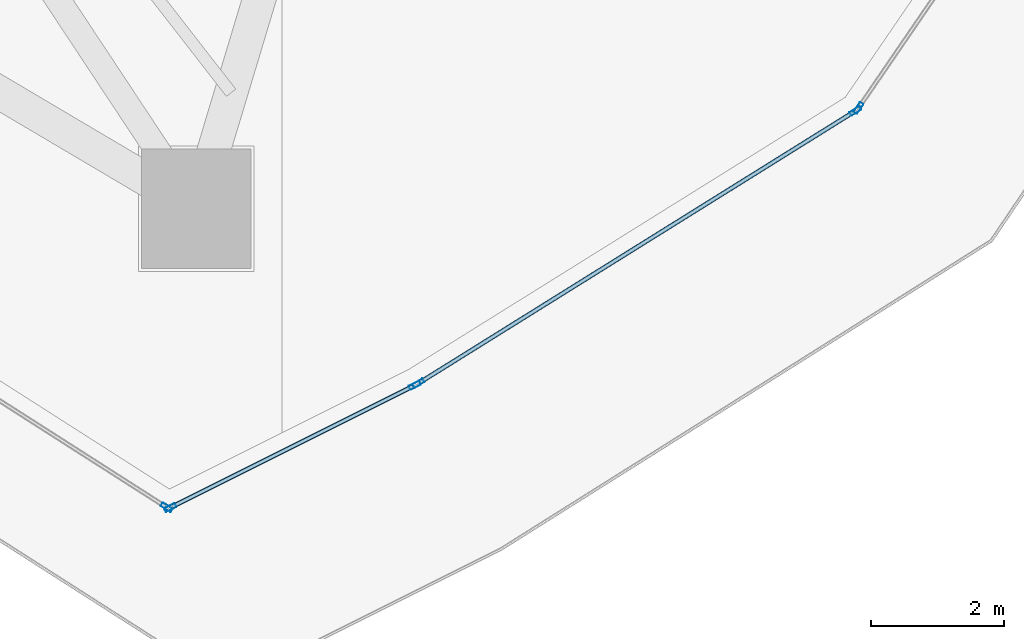
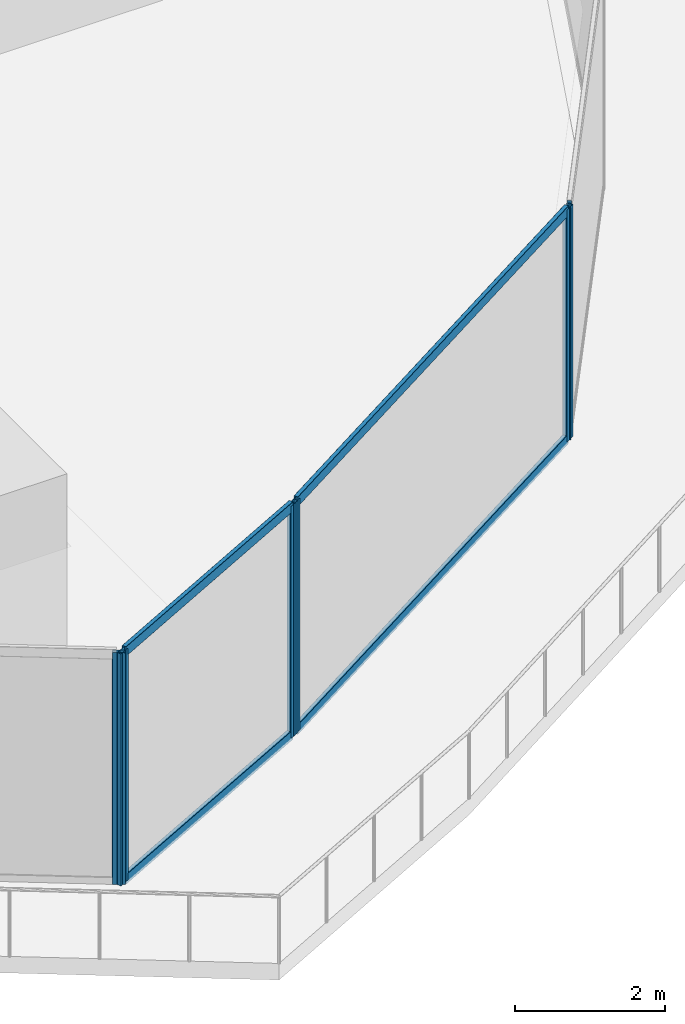
# One storey, part 10 of 33: 10 members, 4 elements without a shape of their own.
"""IFC4 building model written with IfcOpenShell, lengths in metres."""

from ifc_helpers import new_model, si_unit, direction, frame, origin, origin_2d, place, context, subcontext, project, spatial, hollow_rectangle, extrude, material, layer, layer_set, material_profile, profile_set, type_object, element, aggregate, save


model = new_model("IFC4")

# Units and contexts
model_context = context("Model", 3, precision=1e-05, world=origin(), true_north=direction((0.0, 1.0)))
body_context = subcontext(model_context, "Body", "Model", "MODEL_VIEW")
ifc_project = project(units=[si_unit("LENGTHUNIT", "METRE"), si_unit("AREAUNIT", "SQUARE_METRE"), si_unit("VOLUMEUNIT", "CUBIC_METRE"), si_unit("PLANEANGLEUNIT", "RADIAN"), si_unit("MASSUNIT", "GRAM", prefix="KILO")], contexts=[model_context])

# Site, building, storey
site_placement = place(None, origin())
site = spatial("IfcSite", under=ifc_project, at=site_placement, CompositionType="ELEMENT")
building_placement = place(site_placement, origin())
building = spatial("IfcBuilding", under=site, at=building_placement, Name="Qorvath Tower", CompositionType="ELEMENT")
storey_placement = place(building_placement, frame((0.0, 0.0, 221.25)))
storey = spatial("IfcBuildingStorey", under=building, at=storey_placement, Name="L51", CompositionType="ELEMENT", Elevation=221.25)

# Curtain wall, member
ifc_material_1 = material(Name="Anodised aluminium and triple low-E glass", Category="aluminium")
ifc_layer = layer(ifc_material_1, 0.179931640625)
ifc_layer_set = layer_set([ifc_layer], Name="CW-SYS-3")
curtain_wall_type = type_object("IfcCurtainWallType", Name="CW-SYS-3", PredefinedType="NOTDEFINED", material=ifc_layer_set)
curtain_wall_1_placement = place(storey_placement, origin())
curtain_wall_1 = element("IfcCurtainWall", 1, at=curtain_wall_1_placement, inside=storey, type_object=curtain_wall_type, Name="Curtain Wall CW-3 CW-T-L51-2.2", PredefinedType="NOTDEFINED")
ifc_material_2 = material(Name="Anodised aluminium 6063-T6", Category="aluminium")
ifc_material_profile_1 = material_profile(ifc_material_2, hollow_rectangle(XDim=0.06494140625, YDim=0.179931640625, WallThickness=0.00341796875, InnerFilletRadius=0.00341796875, OuterFilletRadius=0.007080078125, at=origin_2d()), Name="CWM 180x65")
ifc_profile_set_1 = profile_set([ifc_material_profile_1], Name="Anodised aluminium 6063-T6")
member_type_1 = type_object("IfcMemberType", Name="CWM-180", PredefinedType="MULLION", material=ifc_profile_set_1)
member_1_placement = place(storey_placement, frame((-17.31591796875, -26.116943359375, 0.0), z_axis=(0.0, 0.0, 1.0), x_axis=(0.538534785809, 0.842603278224, 0.0)))
member_1 = element("IfcMember", 2, at=member_1_placement, type_object=member_type_1, Name="CW-3 mullion 8", PredefinedType="MULLION", context=body_context, shape_type="SweptSolid", body=[
    extrude(hollow_rectangle(XDim=0.06494140625, YDim=0.179931640625, WallThickness=0.00341796875, InnerFilletRadius=0.00341796875, OuterFilletRadius=0.007080078125, at=origin_2d()), origin(), (0.0, 0.0, 1.0), 3.780029296875),
])
aggregate(curtain_wall_1, [member_1])

# Curtain wall, members
curtain_wall_2_placement = place(storey_placement, origin())
curtain_wall_2 = element("IfcCurtainWall", 3, at=curtain_wall_2_placement, inside=storey, type_object=curtain_wall_type, Name="Curtain Wall CW-3 CW-T-L51-3.1", PredefinedType="NOTDEFINED")
member_2_placement = place(storey_placement, frame((-17.259521484375, -26.119873046875, 0.0), z_axis=(0.0, 0.0, 1.0), x_axis=(-0.447223177633, 0.894422399869, 0.0)))
member_2 = element("IfcMember", 4, at=member_2_placement, type_object=member_type_1, Name="CW-3 mullion 1", PredefinedType="MULLION", context=body_context, shape_type="SweptSolid", body=[
    extrude(hollow_rectangle(XDim=0.06494140625, YDim=0.179931640625, WallThickness=0.00341796875, InnerFilletRadius=0.00341796875, OuterFilletRadius=0.007080078125, at=origin_2d()), origin(), (0.0, 0.0, 1.0), 3.780029296875),
])
member_3_placement = place(storey_placement, frame((-13.583984375, -24.2822265625, 0.0), z_axis=(0.0, 0.0, 1.0), x_axis=(-0.447223177633, 0.894422399869, 0.0)))
member_3 = element("IfcMember", 5, at=member_3_placement, type_object=member_type_1, Name="CW-3 mullion 2", PredefinedType="MULLION", context=body_context, shape_type="SweptSolid", body=[
    extrude(hollow_rectangle(XDim=0.06494140625, YDim=0.179931640625, WallThickness=0.00341796875, InnerFilletRadius=0.00341796875, OuterFilletRadius=0.007080078125, at=origin_2d()), origin(), (0.0, 0.0, 1.0), 3.780029296875),
])

curtain_wall_3_placement = place(storey_placement, origin())
curtain_wall_3 = element("IfcCurtainWall", 6, at=curtain_wall_3_placement, inside=storey, type_object=curtain_wall_type, Name="Curtain Wall CW-3 CW-T-L51-4.1", PredefinedType="NOTDEFINED")
member_4_placement = place(storey_placement, frame((-13.52734375, -24.25048828125, 0.0), z_axis=(0.0, 0.0, 1.0), x_axis=(-0.528981931327, 0.848633086987, 0.0)))
member_4 = element("IfcMember", 7, at=member_4_placement, type_object=member_type_1, Name="CW-3 mullion 1", PredefinedType="MULLION", context=body_context, shape_type="SweptSolid", body=[
    extrude(hollow_rectangle(XDim=0.06494140625, YDim=0.179931640625, WallThickness=0.00341796875, InnerFilletRadius=0.00341796875, OuterFilletRadius=0.007080078125, at=origin_2d()), origin(), (0.0, 0.0, 1.0), 3.780029296875),
])
member_5_placement = place(storey_placement, frame((-6.95703125, -20.15478515625, 0.0), z_axis=(0.0, 0.0, 1.0), x_axis=(-0.528981931327, 0.848633086987, 0.0)))
member_5 = element("IfcMember", 8, at=member_5_placement, type_object=member_type_1, Name="CW-3 mullion 2", PredefinedType="MULLION", context=body_context, shape_type="SweptSolid", body=[
    extrude(hollow_rectangle(XDim=0.06494140625, YDim=0.179931640625, WallThickness=0.00341796875, InnerFilletRadius=0.00341796875, OuterFilletRadius=0.007080078125, at=origin_2d()), origin(), (0.0, 0.0, 1.0), 3.780029296875),
])

# Curtain wall, member
curtain_wall_4_placement = place(storey_placement, origin())
curtain_wall_4 = element("IfcCurtainWall", 9, at=curtain_wall_4_placement, inside=storey, type_object=curtain_wall_type, Name="Curtain Wall CW-3 CW-T-L51-5.1", PredefinedType="NOTDEFINED")
member_6_placement = place(storey_placement, frame((-6.9111328125, -20.11083984375, 0.0), z_axis=(0.0, 0.0, 1.0), x_axis=(-0.825264440165, 0.564746495163, 0.0)))
member_6 = element("IfcMember", 10, at=member_6_placement, type_object=member_type_1, Name="CW-3 mullion 1", PredefinedType="MULLION", context=body_context, shape_type="SweptSolid", body=[
    extrude(hollow_rectangle(XDim=0.06494140625, YDim=0.179931640625, WallThickness=0.00341796875, InnerFilletRadius=0.00341796875, OuterFilletRadius=0.007080078125, at=origin_2d()), origin(), (0.0, 0.0, 1.0), 3.780029296875),
])
aggregate(curtain_wall_4, [member_6])

# Member
ifc_material_3 = material(Name="Anodised aluminium 6063-T6", Category="aluminium")
ifc_material_profile_2 = material_profile(ifc_material_3, hollow_rectangle(XDim=0.06494140625, YDim=0.159912109375, WallThickness=0.00341796875, InnerFilletRadius=0.00341796875, OuterFilletRadius=0.007080078125, at=origin_2d()), Name="CWT 160x65")
ifc_profile_set_2 = profile_set([ifc_material_profile_2], Name="Anodised aluminium 6063-T6")
member_type_2 = type_object("IfcMemberType", Name="CWT-160", PredefinedType="USERDEFINED", material=ifc_profile_set_2)
member_7_placement = place(storey_placement, frame((-17.23046875, -26.10546875, 0.032470703125), z_axis=(0.894415117851, 0.447237740984, 0.0), x_axis=(-0.447237740984, 0.894415117851, 0.0)))
member_7 = element("IfcMember", 11, at=member_7_placement, type_object=member_type_2, Name="CW-3 transom 1.1", ObjectType="TRANSOM", PredefinedType="USERDEFINED", context=body_context, shape_type="SweptSolid", body=[
    extrude(hollow_rectangle(XDim=0.06494140625, YDim=0.159912109375, WallThickness=0.00341796875, InnerFilletRadius=0.00341796875, OuterFilletRadius=0.007080078125, at=origin_2d()), origin(), (0.0, 0.0, 1.0), 4.04443359375),
])

member_8_placement = place(storey_placement, frame((-17.23046875, -26.10546875, 3.74755859375), z_axis=(0.894415117851, 0.447237740984, 0.0), x_axis=(-0.447237740984, 0.894415117851, 0.0)))
member_8 = element("IfcMember", 12, at=member_8_placement, type_object=member_type_2, Name="CW-3 transom 1.2", ObjectType="TRANSOM", PredefinedType="USERDEFINED", context=body_context, shape_type="SweptSolid", body=[
    extrude(hollow_rectangle(XDim=0.06494140625, YDim=0.159912109375, WallThickness=0.00341796875, InnerFilletRadius=0.00341796875, OuterFilletRadius=0.007080078125, at=origin_2d()), origin(), (0.0, 0.0, 1.0), 4.04443359375),
])

aggregate(curtain_wall_2, [member_2, member_3, member_7, member_8])

member_9_placement = place(storey_placement, frame((-13.499755859375, -24.233154296875, 0.032470703125), z_axis=(0.848637276505, 0.528975210125, 0.0), x_axis=(-0.528975210125, 0.848637276505, 0.0)))
member_9 = element("IfcMember", 13, at=member_9_placement, type_object=member_type_2, Name="CW-3 transom 1.1", ObjectType="TRANSOM", PredefinedType="USERDEFINED", context=body_context, shape_type="SweptSolid", body=[
    extrude(hollow_rectangle(XDim=0.06494140625, YDim=0.159912109375, WallThickness=0.00341796875, InnerFilletRadius=0.00341796875, OuterFilletRadius=0.007080078125, at=origin_2d()), origin(), (0.0, 0.0, 1.0), 7.67724609375),
])

member_10_placement = place(storey_placement, frame((-13.499755859375, -24.233154296875, 3.74755859375), z_axis=(0.848637276505, 0.528975210125, 0.0), x_axis=(-0.528975210125, 0.848637276505, 0.0)))
member_10 = element("IfcMember", 14, at=member_10_placement, type_object=member_type_2, Name="CW-3 transom 1.2", ObjectType="TRANSOM", PredefinedType="USERDEFINED", context=body_context, shape_type="SweptSolid", body=[
    extrude(hollow_rectangle(XDim=0.06494140625, YDim=0.159912109375, WallThickness=0.00341796875, InnerFilletRadius=0.00341796875, OuterFilletRadius=0.007080078125, at=origin_2d()), origin(), (0.0, 0.0, 1.0), 7.67724609375),
])

aggregate(curtain_wall_3, [member_4, member_5, member_9, member_10])

save(model, "model.ifc")
